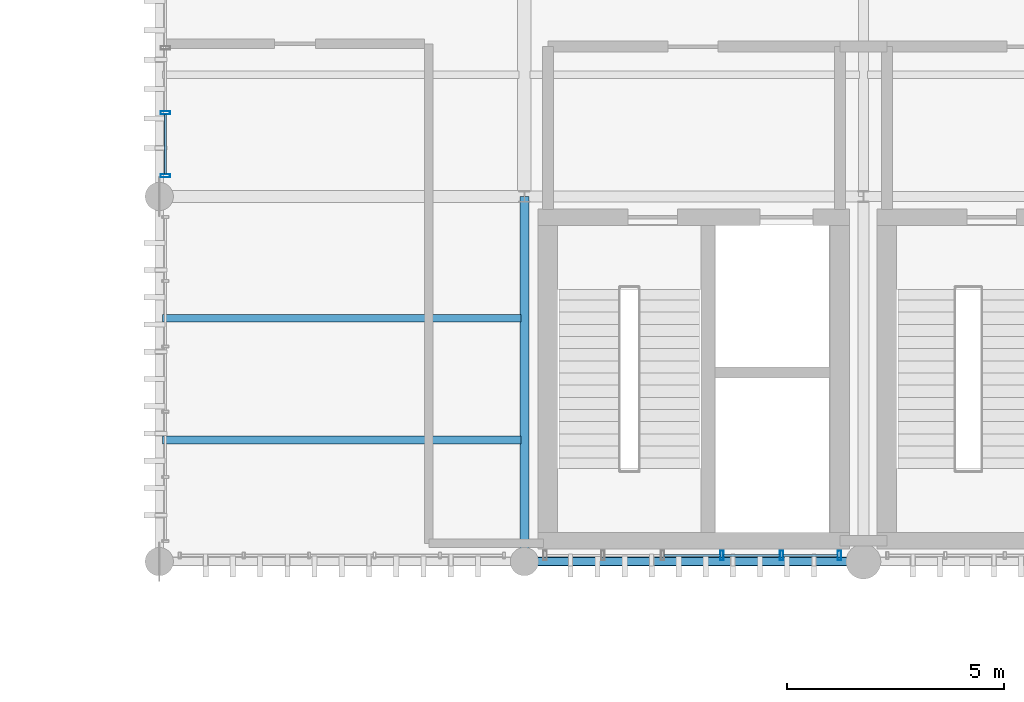
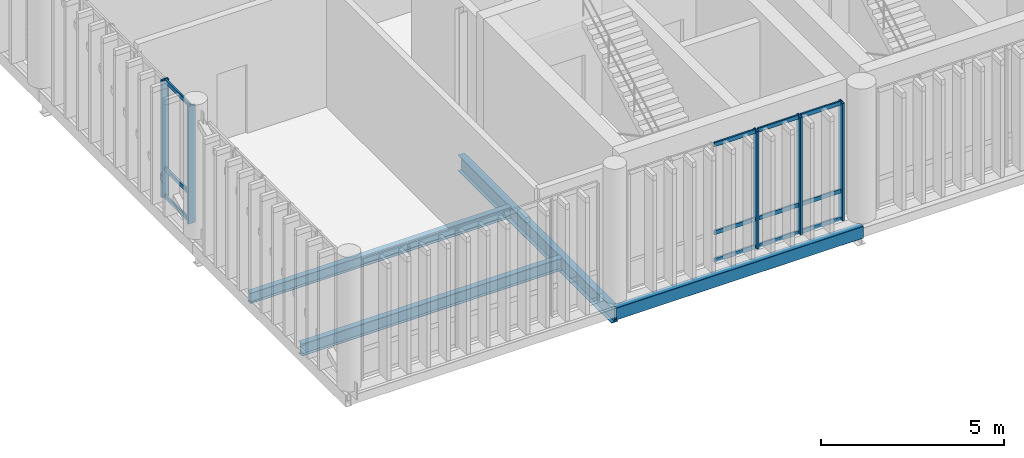
# One storey, part 4 of 19: 17 members, 4 beams, 2 elements without a shape of their own.
"""IFC4 building model written with IfcOpenShell, lengths in metres."""

from ifc_helpers import new_model, si_unit, direction, frame, origin_with_axes, origin_2d_with_axis, place, context, subcontext, project, spatial, hollow_rectangle, i_section, extrude, material, material_profile, profile_set, type_object, element, aggregate, save


model = new_model("IFC4")

# Units and contexts
model_context = context("Model", 3, precision=1e-05, world=origin_with_axes(), true_north=direction((0.0, 1.0)))
body_context = subcontext(model_context, "Body", "Model", "MODEL_VIEW")
ifc_project = project(units=[si_unit("LENGTHUNIT", "METRE"), si_unit("AREAUNIT", "SQUARE_METRE"), si_unit("VOLUMEUNIT", "CUBIC_METRE"), si_unit("PLANEANGLEUNIT", "RADIAN"), si_unit("MASSUNIT", "GRAM", prefix="KILO"), si_unit("THERMODYNAMICTEMPERATUREUNIT", "KELVIN")], contexts=[model_context])

# Site, building, storey
site_placement = place(None, origin_with_axes())
site = spatial("IfcSite", under=ifc_project, at=site_placement, CompositionType="ELEMENT")
building_placement = place(site_placement, origin_with_axes())
building = spatial("IfcBuilding", under=site, at=building_placement, Name="Montbau Bow Law Courts", CompositionType="ELEMENT")
storey_placement = place(building_placement, frame((0.0, 0.0, 43.5), z_axis=(0.0, 0.0, 1.0), x_axis=(1.0, 0.0, 0.0)))
storey = spatial("IfcBuildingStorey", under=building, at=storey_placement, Name="L09", CompositionType="ELEMENT", Elevation=43.5)

# Beams
ifc_material_1 = material(Name="Steel CSA G40.21 Grade 350W (350 MPa)", Category="steel")
ifc_material_profile_1 = material_profile(ifc_material_1, i_section(OverallWidth=0.21, OverallDepth=0.537, WebThickness=0.0109, FlangeThickness=0.0174, at=origin_2d_with_axis()), Name="W530X101", Category="Main", Priority=0)
ifc_profile_set_1 = profile_set([ifc_material_profile_1], Name="Steel CSA G40.21 Grade 350W (350 MPa)")
beam_type_1 = type_object("IfcBeamType", Name="B-FLR-06", PredefinedType="BEAM", material=ifc_profile_set_1)
beam_1_placement = place(None, frame((147.0, 86.4, 42.931), z_axis=(0.0, 1.0, 0.0), x_axis=(-1.0, 0.0, 0.0)))
element("IfcBeam", 1, at=beam_1_placement, inside=storey, type_object=beam_type_1, Name="BM-L09-S1403:bm2_1406", PredefinedType="BEAM", context=body_context, shape_type="SweptSolid", body=[
    extrude(i_section(OverallWidth=0.21, OverallDepth=0.537, WebThickness=0.0109, FlangeThickness=0.0174, at=origin_2d_with_axis()), origin_with_axes(), (0.0, 0.0, 1.0), 8.4),
])
ifc_material_profile_2 = material_profile(ifc_material_1, i_section(OverallWidth=0.179, OverallDepth=0.41, WebThickness=0.0088, FlangeThickness=0.0144, at=origin_2d_with_axis()), Name="W410X67", Category="Main", Priority=0)
ifc_profile_set_2 = profile_set([ifc_material_profile_2], Name="Steel CSA G40.21 Grade 350W (350 MPa)")
beam_type_2 = type_object("IfcBeamType", Name="B-JST-02", PredefinedType="JOIST", material=ifc_profile_set_2)
beam_2_placement = place(None, frame((138.68, 89.2, 42.995), z_axis=(1.0, 0.0, 0.0), x_axis=(0.0, 1.0, 0.0)))
element("IfcBeam", 2, at=beam_2_placement, inside=storey, type_object=beam_type_2, Name="JST-L09-S0773:jst2_0773", PredefinedType="JOIST", context=body_context, shape_type="SweptSolid", body=[
    extrude(i_section(OverallWidth=0.179, OverallDepth=0.41, WebThickness=0.0088, FlangeThickness=0.0144, at=origin_2d_with_axis()), origin_with_axes(), (0.0, 0.0, 1.0), 8.239),
])
ifc_material_profile_3 = material_profile(ifc_material_1, i_section(OverallWidth=0.172, OverallDepth=0.358, WebThickness=0.0079, FlangeThickness=0.0131, at=origin_2d_with_axis()), Name="W360X57", Category="Main", Priority=0)
ifc_profile_set_3 = profile_set([ifc_material_profile_3], Name="Steel CSA G40.21 Grade 350W (350 MPa)")
beam_type_3 = type_object("IfcBeamType", Name="B-JST-03", PredefinedType="JOIST", material=ifc_profile_set_3)
beam_3_placement = place(None, frame((138.68, 92.0, 43.021), z_axis=(1.0, 0.0, 0.0), x_axis=(0.0, 1.0, 0.0)))
element("IfcBeam", 3, at=beam_3_placement, inside=storey, type_object=beam_type_3, Name="JST-L09-S0774:jst2_0774", PredefinedType="JOIST", context=body_context, shape_type="SweptSolid", body=[
    extrude(i_section(OverallWidth=0.172, OverallDepth=0.358, WebThickness=0.0079, FlangeThickness=0.0131, at=origin_2d_with_axis()), origin_with_axes(), (0.0, 0.0, 1.0), 8.239),
])
ifc_material_2 = material(Name="Steel CSA G40.21 Grade 350WT (350 MPa)", Category="steel")
ifc_material_profile_4 = material_profile(ifc_material_2, hollow_rectangle(XDim=0.203, YDim=0.406, WallThickness=0.0127, InnerFilletRadius=0.0254, OuterFilletRadius=0.0127, at=origin_2d_with_axis()), Name="HSS406X203X13", Category="Main", Priority=0)
ifc_profile_set_4 = profile_set([ifc_material_profile_4], Name="Steel CSA G40.21 Grade 350WT (350 MPa)")
beam_type_4 = type_object("IfcBeamType", Name="B-SPN-01", PredefinedType="SPANDREL", material=ifc_profile_set_4)
beam_4_placement = place(None, frame((147.0, 86.4, 42.997), z_axis=(1.0, 0.0, 0.0), x_axis=(0.0, 1.0, 0.0)))
element("IfcBeam", 4, at=beam_4_placement, inside=storey, type_object=beam_type_4, Name="SPN-L09-S1385:bm2_1388", PredefinedType="SPANDREL", context=body_context, shape_type="SweptSolid", body=[
    extrude(hollow_rectangle(XDim=0.203, YDim=0.406, WallThickness=0.0127, InnerFilletRadius=0.0254, OuterFilletRadius=0.0127, at=origin_2d_with_axis()), origin_with_axes(), (0.0, 0.0, 1.0), 7.8),
])

# Curtain wall, members
ifc_material_3 = material(Name="Thermally Broken Extruded Aluminium AA 6063-T6", Category="aluminium")
curtain_wall_type = type_object("IfcCurtainWallType", Name="CW-CRM-03", PredefinedType="NOTDEFINED", material=ifc_material_3)
curtain_wall_1_placement = place(None, frame((147.44, 86.54, 43.5), z_axis=(0.0, 0.0, 1.0), x_axis=(1.0, 0.0, 0.0)))
curtain_wall_1 = element("IfcCurtainWall", 5, at=curtain_wall_1_placement, inside=storey, type_object=curtain_wall_type, Name="CW-L09-387:cw_0387", PredefinedType="NOTDEFINED")
ifc_material_profile_5 = material_profile(ifc_material_3, hollow_rectangle(XDim=0.075, YDim=0.22, WallThickness=0.005, InnerFilletRadius=0.01, OuterFilletRadius=0.005, at=origin_2d_with_axis()), Name="CWM-220X75", Category="Main", Priority=0)
ifc_profile_set_5 = profile_set([ifc_material_profile_5], Name="Thermally Broken Extruded Aluminium AA 6063-T6")
member_type_1 = type_object("IfcMemberType", Name="M-MUL-01", PredefinedType="MULLION", material=ifc_profile_set_5)
member_1_placement = place(None, frame((151.547, 86.54, 43.5), z_axis=(0.0, 0.0, 1.0), x_axis=(1.0, 0.0, 0.0)))
member_1 = element("IfcMember", 6, at=member_1_placement, type_object=member_type_1, Name="CW-L09-387-M04:cw_0387_M04", PredefinedType="MULLION", context=body_context, shape_type="SweptSolid", body=[
    extrude(hollow_rectangle(XDim=0.075, YDim=0.22, WallThickness=0.005, InnerFilletRadius=0.01, OuterFilletRadius=0.005, at=origin_2d_with_axis()), origin_with_axes(), (0.0, 0.0, 1.0), 3.92),
])
member_2_placement = place(None, frame((152.916, 86.54, 43.5), z_axis=(0.0, 0.0, 1.0), x_axis=(1.0, 0.0, 0.0)))
member_2 = element("IfcMember", 7, at=member_2_placement, type_object=member_type_1, Name="CW-L09-387-M05:cw_0387_M05", PredefinedType="MULLION", context=body_context, shape_type="SweptSolid", body=[
    extrude(hollow_rectangle(XDim=0.075, YDim=0.22, WallThickness=0.005, InnerFilletRadius=0.01, OuterFilletRadius=0.005, at=origin_2d_with_axis()), origin_with_axes(), (0.0, 0.0, 1.0), 3.92),
])
member_3_placement = place(None, frame((154.247, 86.54, 43.5), z_axis=(0.0, 0.0, 1.0), x_axis=(1.0, 0.0, 0.0)))
member_3 = element("IfcMember", 8, at=member_3_placement, type_object=member_type_1, Name="CW-L09-387-M06:cw_0387_M06", PredefinedType="MULLION", context=body_context, shape_type="SweptSolid", body=[
    extrude(hollow_rectangle(XDim=0.075, YDim=0.22, WallThickness=0.005, InnerFilletRadius=0.01, OuterFilletRadius=0.005, at=origin_2d_with_axis()), origin_with_axes(), (0.0, 0.0, 1.0), 3.92),
])

curtain_wall_2_placement = place(None, frame((138.74, 95.24, 43.5), z_axis=(0.0, 0.0, 1.0), x_axis=(1.0, 0.0, 0.0)))
curtain_wall_2 = element("IfcCurtainWall", 9, at=curtain_wall_2_placement, inside=storey, type_object=curtain_wall_type, Name="CW-L09-393:cw_0393", PredefinedType="NOTDEFINED")
member_4_placement = place(None, frame((138.74, 95.277, 43.5), z_axis=(0.0, 0.0, 1.0), x_axis=(0.0, 1.0, 0.0)))
member_4 = element("IfcMember", 10, at=member_4_placement, type_object=member_type_1, Name="CW-L09-393-M01:cw_0393_M01", PredefinedType="MULLION", context=body_context, shape_type="SweptSolid", body=[
    extrude(hollow_rectangle(XDim=0.075, YDim=0.22, WallThickness=0.005, InnerFilletRadius=0.01, OuterFilletRadius=0.005, at=origin_2d_with_axis()), origin_with_axes(), (0.0, 0.0, 1.0), 3.92),
])
member_5_placement = place(None, frame((138.74, 96.729, 43.5), z_axis=(0.0, 0.0, 1.0), x_axis=(0.0, 1.0, 0.0)))
member_5 = element("IfcMember", 11, at=member_5_placement, type_object=member_type_1, Name="CW-L09-393-M02:cw_0393_M02", PredefinedType="MULLION", context=body_context, shape_type="SweptSolid", body=[
    extrude(hollow_rectangle(XDim=0.075, YDim=0.22, WallThickness=0.005, InnerFilletRadius=0.01, OuterFilletRadius=0.005, at=origin_2d_with_axis()), origin_with_axes(), (0.0, 0.0, 1.0), 3.92),
])

# Member
ifc_material_profile_6 = material_profile(ifc_material_3, hollow_rectangle(XDim=0.055, YDim=0.14, WallThickness=0.004, InnerFilletRadius=0.008, OuterFilletRadius=0.004, at=origin_2d_with_axis()), Name="CWT-140X55", Category="Main", Priority=0)
ifc_profile_set_6 = profile_set([ifc_material_profile_6], Name="Thermally Broken Extruded Aluminium AA 6063-T6")
member_type_2 = type_object("IfcMemberType", Name="M-TRN-02", PredefinedType="USERDEFINED", material=ifc_profile_set_6)
member_6_placement = place(None, frame((150.217, 86.54, 43.528), z_axis=(1.0, 0.0, 0.0), x_axis=(0.0, 1.0, 0.0)))
member_6 = element("IfcMember", 12, at=member_6_placement, type_object=member_type_2, Name="CW-L09-387-T03-1:cw_0387_T03_1", ObjectType="TRANSOM", PredefinedType="USERDEFINED", context=body_context, shape_type="SweptSolid", body=[
    extrude(hollow_rectangle(XDim=0.055, YDim=0.14, WallThickness=0.004, InnerFilletRadius=0.008, OuterFilletRadius=0.004, at=origin_2d_with_axis()), origin_with_axes(), (0.0, 0.0, 1.0), 1.291),
])

member_7_placement = place(None, frame((150.217, 86.54, 44.45), z_axis=(1.0, 0.0, 0.0), x_axis=(0.0, 1.0, 0.0)))
member_7 = element("IfcMember", 13, at=member_7_placement, type_object=member_type_2, Name="CW-L09-387-T03-2:cw_0387_T03_2", ObjectType="TRANSOM", PredefinedType="USERDEFINED", context=body_context, shape_type="SweptSolid", body=[
    extrude(hollow_rectangle(XDim=0.055, YDim=0.14, WallThickness=0.004, InnerFilletRadius=0.008, OuterFilletRadius=0.004, at=origin_2d_with_axis()), origin_with_axes(), (0.0, 0.0, 1.0), 1.291),
])

member_8_placement = place(None, frame((150.217, 86.54, 47.392), z_axis=(1.0, 0.0, 0.0), x_axis=(0.0, 1.0, 0.0)))
member_8 = element("IfcMember", 14, at=member_8_placement, type_object=member_type_2, Name="CW-L09-387-T03-3:cw_0387_T03_3", ObjectType="TRANSOM", PredefinedType="USERDEFINED", context=body_context, shape_type="SweptSolid", body=[
    extrude(hollow_rectangle(XDim=0.055, YDim=0.14, WallThickness=0.004, InnerFilletRadius=0.008, OuterFilletRadius=0.004, at=origin_2d_with_axis()), origin_with_axes(), (0.0, 0.0, 1.0), 1.291),
])

member_9_placement = place(None, frame((151.586, 86.54, 43.528), z_axis=(1.0, 0.0, 0.0), x_axis=(0.0, 1.0, 0.0)))
member_9 = element("IfcMember", 15, at=member_9_placement, type_object=member_type_2, Name="CW-L09-387-T04-1:cw_0387_T04_1", ObjectType="TRANSOM", PredefinedType="USERDEFINED", context=body_context, shape_type="SweptSolid", body=[
    extrude(hollow_rectangle(XDim=0.055, YDim=0.14, WallThickness=0.004, InnerFilletRadius=0.008, OuterFilletRadius=0.004, at=origin_2d_with_axis()), origin_with_axes(), (0.0, 0.0, 1.0), 1.291),
])

member_10_placement = place(None, frame((151.586, 86.54, 44.45), z_axis=(1.0, 0.0, 0.0), x_axis=(0.0, 1.0, 0.0)))
member_10 = element("IfcMember", 16, at=member_10_placement, type_object=member_type_2, Name="CW-L09-387-T04-2:cw_0387_T04_2", ObjectType="TRANSOM", PredefinedType="USERDEFINED", context=body_context, shape_type="SweptSolid", body=[
    extrude(hollow_rectangle(XDim=0.055, YDim=0.14, WallThickness=0.004, InnerFilletRadius=0.008, OuterFilletRadius=0.004, at=origin_2d_with_axis()), origin_with_axes(), (0.0, 0.0, 1.0), 1.291),
])

member_11_placement = place(None, frame((151.586, 86.54, 47.392), z_axis=(1.0, 0.0, 0.0), x_axis=(0.0, 1.0, 0.0)))
member_11 = element("IfcMember", 17, at=member_11_placement, type_object=member_type_2, Name="CW-L09-387-T04-3:cw_0387_T04_3", ObjectType="TRANSOM", PredefinedType="USERDEFINED", context=body_context, shape_type="SweptSolid", body=[
    extrude(hollow_rectangle(XDim=0.055, YDim=0.14, WallThickness=0.004, InnerFilletRadius=0.008, OuterFilletRadius=0.004, at=origin_2d_with_axis()), origin_with_axes(), (0.0, 0.0, 1.0), 1.291),
])

member_12_placement = place(None, frame((152.955, 86.54, 43.528), z_axis=(1.0, 0.0, 0.0), x_axis=(0.0, 1.0, 0.0)))
member_12 = element("IfcMember", 18, at=member_12_placement, type_object=member_type_2, Name="CW-L09-387-T05-1:cw_0387_T05_1", ObjectType="TRANSOM", PredefinedType="USERDEFINED", context=body_context, shape_type="SweptSolid", body=[
    extrude(hollow_rectangle(XDim=0.055, YDim=0.14, WallThickness=0.004, InnerFilletRadius=0.008, OuterFilletRadius=0.004, at=origin_2d_with_axis()), origin_with_axes(), (0.0, 0.0, 1.0), 1.253),
])

member_13_placement = place(None, frame((152.955, 86.54, 44.45), z_axis=(1.0, 0.0, 0.0), x_axis=(0.0, 1.0, 0.0)))
member_13 = element("IfcMember", 19, at=member_13_placement, type_object=member_type_2, Name="CW-L09-387-T05-2:cw_0387_T05_2", ObjectType="TRANSOM", PredefinedType="USERDEFINED", context=body_context, shape_type="SweptSolid", body=[
    extrude(hollow_rectangle(XDim=0.055, YDim=0.14, WallThickness=0.004, InnerFilletRadius=0.008, OuterFilletRadius=0.004, at=origin_2d_with_axis()), origin_with_axes(), (0.0, 0.0, 1.0), 1.253),
])

member_14_placement = place(None, frame((152.955, 86.54, 47.392), z_axis=(1.0, 0.0, 0.0), x_axis=(0.0, 1.0, 0.0)))
member_14 = element("IfcMember", 20, at=member_14_placement, type_object=member_type_2, Name="CW-L09-387-T05-3:cw_0387_T05_3", ObjectType="TRANSOM", PredefinedType="USERDEFINED", context=body_context, shape_type="SweptSolid", body=[
    extrude(hollow_rectangle(XDim=0.055, YDim=0.14, WallThickness=0.004, InnerFilletRadius=0.008, OuterFilletRadius=0.004, at=origin_2d_with_axis()), origin_with_axes(), (0.0, 0.0, 1.0), 1.253),
])

aggregate(curtain_wall_1, [member_1, member_2, member_3, member_6, member_7, member_8, member_9, member_10, member_11, member_12, member_13, member_14])

member_15_placement = place(None, frame((138.74, 95.316, 43.528), z_axis=(0.0, 1.0, 0.0), x_axis=(-1.0, 0.0, 0.0)))
member_15 = element("IfcMember", 21, at=member_15_placement, type_object=member_type_2, Name="CW-L09-393-T01-1:cw_0393_T01_1", ObjectType="TRANSOM", PredefinedType="USERDEFINED", context=body_context, shape_type="SweptSolid", body=[
    extrude(hollow_rectangle(XDim=0.055, YDim=0.14, WallThickness=0.004, InnerFilletRadius=0.008, OuterFilletRadius=0.004, at=origin_2d_with_axis()), origin_with_axes(), (0.0, 0.0, 1.0), 1.374),
])

member_16_placement = place(None, frame((138.74, 95.316, 44.45), z_axis=(0.0, 1.0, 0.0), x_axis=(-1.0, 0.0, 0.0)))
member_16 = element("IfcMember", 22, at=member_16_placement, type_object=member_type_2, Name="CW-L09-393-T01-2:cw_0393_T01_2", ObjectType="TRANSOM", PredefinedType="USERDEFINED", context=body_context, shape_type="SweptSolid", body=[
    extrude(hollow_rectangle(XDim=0.055, YDim=0.14, WallThickness=0.004, InnerFilletRadius=0.008, OuterFilletRadius=0.004, at=origin_2d_with_axis()), origin_with_axes(), (0.0, 0.0, 1.0), 1.374),
])

member_17_placement = place(None, frame((138.74, 95.316, 47.392), z_axis=(0.0, 1.0, 0.0), x_axis=(-1.0, 0.0, 0.0)))
member_17 = element("IfcMember", 23, at=member_17_placement, type_object=member_type_2, Name="CW-L09-393-T01-3:cw_0393_T01_3", ObjectType="TRANSOM", PredefinedType="USERDEFINED", context=body_context, shape_type="SweptSolid", body=[
    extrude(hollow_rectangle(XDim=0.055, YDim=0.14, WallThickness=0.004, InnerFilletRadius=0.008, OuterFilletRadius=0.004, at=origin_2d_with_axis()), origin_with_axes(), (0.0, 0.0, 1.0), 1.374),
])

aggregate(curtain_wall_2, [member_4, member_5, member_15, member_16, member_17])

save(model, "model.ifc")
